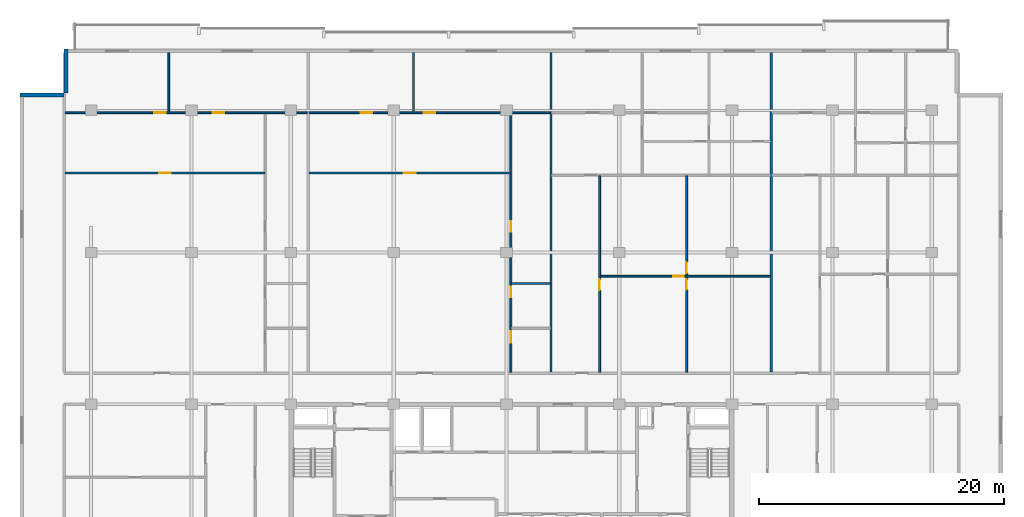
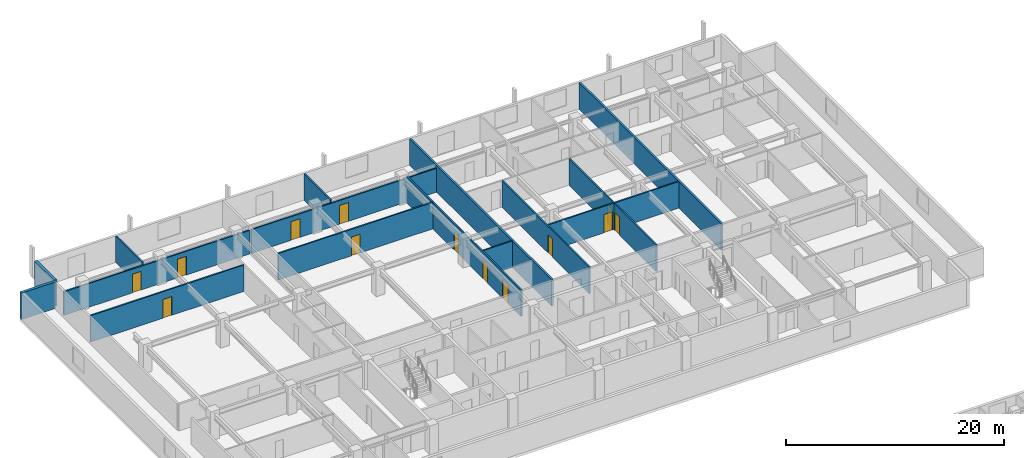
# One storey, part 13 of 21: 15 walls, 13 doors, 13 openings.
"""IFC4 building model written with IfcOpenShell, lengths in metres."""

from ifc_helpers import new_model, si_unit, direction, frame, frame_2d, origin, place, context, subcontext, project, spatial, rectangle, extrude, material, layer, layer_set, type_object, element, fill, save


model = new_model("IFC4")

# Units and contexts
model_context = context("Model", 3, precision=1e-05, world=origin(), true_north=direction((0.0, 1.0)))
body_context = subcontext(model_context, "Body", "Model", "MODEL_VIEW")
ifc_project = project(units=[si_unit("LENGTHUNIT", "METRE"), si_unit("AREAUNIT", "SQUARE_METRE"), si_unit("VOLUMEUNIT", "CUBIC_METRE"), si_unit("PLANEANGLEUNIT", "RADIAN"), si_unit("MASSUNIT", "GRAM", prefix="KILO")], contexts=[model_context])

# Site, building, storey
site_placement = place(None, origin())
site = spatial("IfcSite", under=ifc_project, at=site_placement, CompositionType="ELEMENT")
building_placement = place(site_placement, origin())
building = spatial("IfcBuilding", under=site, at=building_placement, Name="Korimba Cascade Residences", CompositionType="ELEMENT")
storey_placement = place(building_placement, frame((0.0, 0.0, 116.550048828125)))
storey = spatial("IfcBuildingStorey", under=building, at=storey_placement, Name="L33", CompositionType="ELEMENT", Elevation=116.550048828125)

# Walls
ifc_material_1 = material(Name="Precast concrete C40/50", Category="concrete")
ifc_layer_1 = layer(ifc_material_1, 0.300048828125)
ifc_layer_set_1 = layer_set([ifc_layer_1], Name="Precast concrete C40/50")
wall_type_1 = type_object("IfcWallType", Name="EW-STONE-300", PredefinedType="STANDARD", material=ifc_layer_set_1)
wall_1_placement = place(storey_placement, frame((57.75, 96.199951171875, 0.0), z_axis=(0.0, 0.0, 1.0), x_axis=(0.0, -1.0, 0.0)))
element("IfcWall", 1, at=wall_1_placement, inside=storey, type_object=wall_type_1, Name="L33 T1 Perimeter Stone Wall E07", PredefinedType="STANDARD", context=body_context, shape_type="SweptSolid", body=[
    extrude(rectangle(XDim=3.599853515625, YDim=0.300048828125, at=frame_2d((1.7998046875, 0.0))), origin(), (0.0, 0.0, 1.0), 2.969970703125),
])
wall_2_placement = place(storey_placement, frame((57.60009765625, 92.449951171875, 0.0), z_axis=(0.0, 0.0, 1.0), x_axis=(-1.0, 0.0, 0.0)))
element("IfcWall", 2, at=wall_2_placement, inside=storey, type_object=wall_type_1, Name="L33 T1 Perimeter Stone Wall E08", PredefinedType="STANDARD", context=body_context, shape_type="SweptSolid", body=[
    extrude(rectangle(XDim=3.60009765625, YDim=0.300048828125, at=frame_2d((1.800048828125, 0.0))), origin(), (0.0, 0.0, 1.0), 2.969970703125),
])
ifc_layer_2 = layer(ifc_material_1, 0.199951171875)
ifc_layer_set_2 = layer_set([ifc_layer_2], Name="Precast concrete C40/50")
wall_type_2 = type_object("IfcWallType", Name="WAL-IT-200", PredefinedType="PARTITIONING", material=ifc_layer_set_2)
for number, where, z_axis, x_axis, name in (
    (3, (97.33154296875, 69.830078125, 0.0), (0.0, 0.0, 1.0), (0.0, 1.0, 0.0), "L33 Partition Wall WAL-L33-T1-DEM-2"),
    (4, (115.321044921875, 69.830078125, 0.0), (0.0, 0.0, 1.0), (0.0, 1.0, 0.0), "L33 Partition Wall WAL-L33-T1-DEM-3"),
):
    element("IfcWall", number, at=place(storey_placement, frame(where, z_axis=z_axis, x_axis=x_axis)), inside=storey, type_object=wall_type_2, Name=name, PredefinedType="PARTITIONING", context=body_context, shape_type="SweptSolid", body=[
        extrude(rectangle(XDim=26.06982421875, YDim=0.199951171875, at=frame_2d((13.034912109375, 0.0))), origin(), (0.0, 0.0, 1.0), 2.969970703125),
    ])

# Wall, opening, door
ifc_material_2 = material(Name="Insulated Acoustic Stud Partition", Category="gypsum")
ifc_layer_3 = layer(ifc_material_2, 0.14990234375)
ifc_layer_set_3 = layer_set([ifc_layer_3], Name="Insulated Acoustic Stud Partition")
wall_type_3 = type_object("IfcWallType", Name="WAL-PART-150", PredefinedType="PARTITIONING", material=ifc_layer_set_3)
wall_3_placement = place(storey_placement, frame((57.679931640625, 86.080078125, 0.0), z_axis=(0.0, 0.0, 1.0), x_axis=(1.0, 0.0, 0.0)))
wall_3 = element("IfcWall", 5, at=wall_3_placement, inside=storey, type_object=wall_type_3, Name="L33 Partition Wall WAL-L33-T1-U01-CARH", PredefinedType="PARTITIONING", context=body_context, shape_type="SweptSolid", body=[
    extrude(rectangle(XDim=16.29052734375, YDim=0.14990234375, at=frame_2d((8.145263671875, 0.0))), origin(), (0.0, 0.0, 1.0), 2.969970703125),
])
opening_1_placement = place(wall_3_placement, frame((7.67529296875, 0.0, 0.0)))
opening_1 = element("IfcOpeningElement", 6, at=opening_1_placement, cuts=wall_3, Name="Opening D-IN0", PredefinedType="OPENING", context=body_context, shape_type="SweptSolid", body=[
    extrude(rectangle(XDim=0.93994140625, YDim=2.10009765625, at=frame_2d((0.469970703125, 1.050048828125))), frame((0.0, 0.0849609375, 0.0), z_axis=(0.0, -1.0, 0.0), x_axis=(1.0, 0.0, 0.0)), (0.0, 0.0, 1.0), 0.169921875),
])
ifc_material_3 = material(Name="Acoustic Timber Living Archway Door", Category="wood")
door_type_1 = type_object("IfcDoorType", Name="DR-INT-950", OperationType="NOTDEFINED", PredefinedType="DOOR", material=ifc_material_3)
door_1_placement = place(opening_1_placement, origin())
door_1 = element("IfcDoor", 7, at=door_1_placement, inside=storey, type_object=door_type_1, Name="L33-T1-U01 Wellness Clinic Foyer Door", OperationType="SINGLE_SWING_RIGHT", OverallHeight=2.10009765625, OverallWidth=0.93994140625, PredefinedType="DOOR", context=body_context, shape_type="SweptSolid", body=[
    extrude(rectangle(XDim=0.93994140625, YDim=2.10009765625, at=frame_2d((0.469970703125, 1.050048828125))), frame((0.0, 0.02490234375, 0.0), z_axis=(0.0, -1.0, 0.0), x_axis=(1.0, 0.0, 0.0)), (0.0, 0.0, 1.0), 0.050048828125),
])
fill(opening_1, door_1)

# Wall
wall_4_placement = place(storey_placement, frame((66.13525390625, 91.080078125, 0.0), z_axis=(0.0, 0.0, 1.0), x_axis=(0.0, 1.0, 0.0)))
element("IfcWall", 8, at=wall_4_placement, inside=storey, type_object=wall_type_3, Name="L33 Partition Wall WAL-L33-T1-U01-OUTV", PredefinedType="PARTITIONING", context=body_context, shape_type="SweptSolid", body=[
    extrude(rectangle(XDim=4.81982421875, YDim=0.14990234375, at=frame_2d((2.409912109375, 0.0))), origin(), (0.0, 0.0, 1.0), 2.969970703125),
])

# Wall, openings, doors
wall_5_placement = place(storey_placement, frame((57.679931640625, 91.0, 0.0), z_axis=(0.0, 0.0, 1.0), x_axis=(1.0, 0.0, 0.0)))
wall_5 = element("IfcWall", 9, at=wall_5_placement, inside=storey, type_object=wall_type_3, Name="L33 Partition Wall WAL-L33-T1-U01-HZ", PredefinedType="PARTITIONING", context=body_context, shape_type="SweptSolid", body=[
    extrude(rectangle(XDim=19.75048828125, YDim=0.14990234375, at=frame_2d((9.875244140625, 0.0))), origin(), (0.0, 0.0, 1.0), 2.663330078125),
])
opening_2_placement = place(wall_5_placement, frame((7.26513671875, 0.0, 0.0)))
opening_2 = element("IfcOpeningElement", 10, at=opening_2_placement, cuts=wall_5, Name="Opening D-IN0", PredefinedType="OPENING", context=body_context, shape_type="SweptSolid", body=[
    extrude(rectangle(XDim=0.93994140625, YDim=2.10009765625, at=frame_2d((0.469970703125, 1.050048828125))), frame((0.0, 0.0849609375, 0.0), z_axis=(0.0, -1.0, 0.0), x_axis=(1.0, 0.0, 0.0)), (0.0, 0.0, 1.0), 0.169921875),
])
opening_3_placement = place(wall_5_placement, frame((12.051513671875, 0.0, 0.0)))
opening_3 = element("IfcOpeningElement", 11, at=opening_3_placement, cuts=wall_5, Name="Opening D-IN0", PredefinedType="OPENING", context=body_context, shape_type="SweptSolid", body=[
    extrude(rectangle(XDim=0.93994140625, YDim=2.10009765625, at=frame_2d((0.469970703125, 1.050048828125))), frame((0.0, 0.0849609375, 0.0), z_axis=(0.0, -1.0, 0.0), x_axis=(1.0, 0.0, 0.0)), (0.0, 0.0, 1.0), 0.169921875),
])
door_2_placement = place(opening_2_placement, origin())
door_2 = element("IfcDoor", 12, at=door_2_placement, inside=storey, type_object=door_type_1, Name="L33-T1-U01 Hydrotherapy Wellness Clinic Door", OperationType="SINGLE_SWING_RIGHT", OverallHeight=2.10009765625, OverallWidth=0.93994140625, PredefinedType="DOOR", context=body_context, shape_type="SweptSolid", body=[
    extrude(rectangle(XDim=0.93994140625, YDim=2.10009765625, at=frame_2d((0.469970703125, 1.050048828125))), frame((0.0, 0.02490234375, 0.0), z_axis=(0.0, -1.0, 0.0), x_axis=(1.0, 0.0, 0.0)), (0.0, 0.0, 1.0), 0.050048828125),
])
fill(opening_2, door_2)
door_3_placement = place(opening_3_placement, origin())
door_3 = element("IfcDoor", 13, at=door_3_placement, inside=storey, type_object=door_type_1, Name="L33-T1-U01 Physiotherapy Treatment Room Door", OperationType="SINGLE_SWING_LEFT", OverallHeight=2.10009765625, OverallWidth=0.93994140625, PredefinedType="DOOR", context=body_context, shape_type="SweptSolid", body=[
    extrude(rectangle(XDim=0.93994140625, YDim=2.10009765625, at=frame_2d((0.469970703125, 1.050048828125))), frame((0.0, 0.02490234375, 0.0), z_axis=(0.0, -1.0, 0.0), x_axis=(1.0, 0.0, 0.0)), (0.0, 0.0, 1.0), 0.050048828125),
])
fill(opening_3, door_3)

# Wall, opening, door
wall_6_placement = place(storey_placement, frame((77.590576171875, 86.080078125, 0.0), z_axis=(0.0, 0.0, 1.0), x_axis=(1.0, 0.0, 0.0)))
wall_6 = element("IfcWall", 14, at=wall_6_placement, inside=storey, type_object=wall_type_3, Name="L33 Partition Wall WAL-L33-T1-U02-CARH", PredefinedType="PARTITIONING", context=body_context, shape_type="SweptSolid", body=[
    extrude(rectangle(XDim=16.430908203125, YDim=0.14990234375, at=frame_2d((8.21533203125, 0.0))), origin(), (0.0, 0.0, 1.0), 2.969970703125),
])
opening_4_placement = place(wall_6_placement, frame((7.74560546875, 0.0, 0.0)))
opening_4 = element("IfcOpeningElement", 15, at=opening_4_placement, cuts=wall_6, Name="Opening D-IN0", PredefinedType="OPENING", context=body_context, shape_type="SweptSolid", body=[
    extrude(rectangle(XDim=0.93994140625, YDim=2.10009765625, at=frame_2d((0.469970703125, 1.050048828125))), frame((0.0, 0.0849609375, 0.0), z_axis=(0.0, -1.0, 0.0), x_axis=(1.0, 0.0, 0.0)), (0.0, 0.0, 1.0), 0.169921875),
])
door_4_placement = place(opening_4_placement, origin())
door_4 = element("IfcDoor", 16, at=door_4_placement, inside=storey, type_object=door_type_1, Name="L33-T1-U02 Wellness Clinic Foyer Door", OperationType="SINGLE_SWING_RIGHT", OverallHeight=2.10009765625, OverallWidth=0.93994140625, PredefinedType="DOOR", context=body_context, shape_type="SweptSolid", body=[
    extrude(rectangle(XDim=0.93994140625, YDim=2.10009765625, at=frame_2d((0.469970703125, 1.050048828125))), frame((0.0, 0.02490234375, 0.0), z_axis=(0.0, -1.0, 0.0), x_axis=(1.0, 0.0, 0.0)), (0.0, 0.0, 1.0), 0.050048828125),
])
fill(opening_4, door_4)

# Wall
wall_7_placement = place(storey_placement, frame((94.12158203125, 77.070068359375, 0.0), z_axis=(0.0, 0.0, 1.0), x_axis=(1.0, 0.0, 0.0)))
element("IfcWall", 17, at=wall_7_placement, inside=storey, type_object=wall_type_3, Name="L33 Partition Wall WAL-L33-T1-U02-WCH2", PredefinedType="PARTITIONING", context=body_context, shape_type="SweptSolid", body=[
    extrude(rectangle(XDim=3.130126953125, YDim=0.14990234375, at=frame_2d((1.56494140625, 0.0))), origin(), (0.0, 0.0, 1.0), 2.969970703125),
])

# Wall, openings, doors
wall_8_placement = place(storey_placement, frame((94.0615234375, 69.81005859375, 0.0), z_axis=(0.0, 0.0, 1.0), x_axis=(0.0, 1.0, 0.0)))
wall_8 = element("IfcWall", 18, at=wall_8_placement, inside=storey, type_object=wall_type_3, Name="L33 Partition Wall WAL-L33-T1-U02-WCV", PredefinedType="PARTITIONING", context=body_context, shape_type="SweptSolid", body=[
    extrude(rectangle(XDim=21.1298828125, YDim=0.14990234375, at=frame_2d((10.56494140625, 0.0))), origin(), (0.0, 0.0, 1.0), 2.969970703125),
])
opening_5_placement = place(wall_8_placement, frame((2.406005859375, 0.0, 0.0)))
opening_5 = element("IfcOpeningElement", 19, at=opening_5_placement, cuts=wall_8, Name="Opening D-AC1", PredefinedType="OPENING", context=body_context, shape_type="SweptSolid", body=[
    extrude(rectangle(XDim=0.9599609375, YDim=2.10009765625, at=frame_2d((0.47998046875, 1.050048828125))), frame((0.0, 0.0849609375, 0.0), z_axis=(0.0, -1.0, 0.0), x_axis=(1.0, 0.0, 0.0)), (0.0, 0.0, 1.0), 0.169921875),
])
opening_6_placement = place(wall_8_placement, frame((6.132568359375, 0.0, 0.0)))
opening_6 = element("IfcOpeningElement", 20, at=opening_6_placement, cuts=wall_8, Name="Opening D-IN2", PredefinedType="OPENING", context=body_context, shape_type="SweptSolid", body=[
    extrude(rectangle(XDim=0.8798828125, YDim=2.06005859375, at=frame_2d((0.43994140625, 1.030029296875))), frame((0.0, 0.0849609375, 0.0), z_axis=(0.0, -1.0, 0.0), x_axis=(1.0, 0.0, 0.0)), (0.0, 0.0, 1.0), 0.169921875),
])
opening_7_placement = place(wall_8_placement, frame((11.482421875, 0.0, 0.0)))
opening_7 = element("IfcOpeningElement", 21, at=opening_7_placement, cuts=wall_8, Name="Opening D-BT1", PredefinedType="OPENING", context=body_context, shape_type="SweptSolid", body=[
    extrude(rectangle(XDim=0.840087890625, YDim=2.0400390625, at=frame_2d((0.419921875, 1.02001953125))), frame((0.0, 0.0849609375, 0.0), z_axis=(0.0, -1.0, 0.0), x_axis=(1.0, 0.0, 0.0)), (0.0, 0.0, 1.0), 0.169921875),
])
ifc_material_4 = material(Name="Accessible Acoustic Timber WC Door", Category="wood")
door_type_2 = type_object("IfcDoorType", Name="DR-ACC-950", OperationType="NOTDEFINED", PredefinedType="DOOR", material=ifc_material_4)
door_5_placement = place(opening_5_placement, origin())
door_5 = element("IfcDoor", 22, at=door_5_placement, inside=storey, type_object=door_type_2, Name="L33-T1-U02 Accessible WC Door", OperationType="SINGLE_SWING_LEFT", OverallHeight=2.10009765625, OverallWidth=0.9599609375, PredefinedType="DOOR", context=body_context, shape_type="SweptSolid", body=[
    extrude(rectangle(XDim=0.9599609375, YDim=2.10009765625, at=frame_2d((0.47998046875, 1.050048828125))), frame((0.0, 0.02490234375, 0.0), z_axis=(0.0, -1.0, 0.0), x_axis=(1.0, 0.0, 0.0)), (0.0, 0.0, 1.0), 0.050048828125),
])
fill(opening_5, door_5)
ifc_material_5 = material(Name="Moisture-Resistant Bathroom Timber Door", Category="wood")
door_type_3 = type_object("IfcDoorType", Name="DR-INT-850", OperationType="NOTDEFINED", PredefinedType="DOOR", material=ifc_material_5)
door_6_placement = place(opening_7_placement, origin())
door_6 = element("IfcDoor", 23, at=door_6_placement, inside=storey, type_object=door_type_3, Name="L33-T1-U02 Suite Store Door", OperationType="SINGLE_SWING_LEFT", OverallHeight=2.0400390625, OverallWidth=0.840087890625, PredefinedType="DOOR", context=body_context, shape_type="SweptSolid", body=[
    extrude(rectangle(XDim=0.840087890625, YDim=2.0400390625, at=frame_2d((0.419921875, 1.02001953125))), frame((0.0, 0.02490234375, 0.0), z_axis=(0.0, -1.0, 0.0), x_axis=(1.0, 0.0, 0.0)), (0.0, 0.0, 1.0), 0.050048828125),
])
fill(opening_7, door_6)
ifc_material_6 = material(Name="Acoustic Timber Bedroom Door", Category="wood")
door_type_4 = type_object("IfcDoorType", Name="DR-INT-880", OperationType="NOTDEFINED", PredefinedType="DOOR", material=ifc_material_6)
door_7_placement = place(opening_6_placement, origin())
door_7 = element("IfcDoor", 24, at=door_7_placement, inside=storey, type_object=door_type_4, Name="L33-T1-U02 Restroom WC Door", OperationType="SINGLE_SWING_RIGHT", OverallHeight=2.06005859375, OverallWidth=0.8798828125, PredefinedType="DOOR", context=body_context, shape_type="SweptSolid", body=[
    extrude(rectangle(XDim=0.8798828125, YDim=2.06005859375, at=frame_2d((0.43994140625, 1.030029296875))), frame((0.0, 0.02490234375, 0.0), z_axis=(0.0, -1.0, 0.0), x_axis=(1.0, 0.0, 0.0)), (0.0, 0.0, 1.0), 0.050048828125),
])
fill(opening_6, door_7)

# Wall
wall_9_placement = place(storey_placement, frame((86.115966796875, 91.080078125, 0.0), z_axis=(0.0, 0.0, 1.0), x_axis=(0.0, 1.0, 0.0)))
element("IfcWall", 25, at=wall_9_placement, inside=storey, type_object=wall_type_3, Name="L33 Partition Wall WAL-L33-T1-U02-OUTV", PredefinedType="PARTITIONING", context=body_context, shape_type="SweptSolid", body=[
    extrude(rectangle(XDim=4.81982421875, YDim=0.14990234375, at=frame_2d((2.409912109375, 0.0))), origin(), (0.0, 0.0, 1.0), 2.969970703125),
])

# Wall, openings, doors
wall_10_placement = place(storey_placement, frame((77.590576171875, 91.0, 0.0), z_axis=(0.0, 0.0, 1.0), x_axis=(1.0, 0.0, 0.0)))
wall_10 = element("IfcWall", 26, at=wall_10_placement, inside=storey, type_object=wall_type_3, Name="L33 Partition Wall WAL-L33-T1-U02-HZ", PredefinedType="PARTITIONING", context=body_context, shape_type="SweptSolid", body=[
    extrude(rectangle(XDim=19.6611328125, YDim=0.14990234375, at=frame_2d((9.83056640625, 0.0))), origin(), (0.0, 0.0, 1.0), 2.663330078125),
])
opening_8_placement = place(wall_10_placement, frame((4.218017578125, 0.0, 0.0)))
opening_8 = element("IfcOpeningElement", 27, at=opening_8_placement, cuts=wall_10, Name="Opening D-IN0", PredefinedType="OPENING", context=body_context, shape_type="SweptSolid", body=[
    extrude(rectangle(XDim=0.93994140625, YDim=2.10009765625, at=frame_2d((0.469970703125, 1.050048828125))), frame((0.0, 0.0849609375, 0.0), z_axis=(0.0, -1.0, 0.0), x_axis=(1.0, 0.0, 0.0)), (0.0, 0.0, 1.0), 0.169921875),
])
opening_9_placement = place(wall_10_placement, frame((9.360595703125, 0.0, 0.0)))
opening_9 = element("IfcOpeningElement", 28, at=opening_9_placement, cuts=wall_10, Name="Opening D-IN0", PredefinedType="OPENING", context=body_context, shape_type="SweptSolid", body=[
    extrude(rectangle(XDim=0.93994140625, YDim=2.10009765625, at=frame_2d((0.469970703125, 1.050048828125))), frame((0.0, 0.0849609375, 0.0), z_axis=(0.0, -1.0, 0.0), x_axis=(1.0, 0.0, 0.0)), (0.0, 0.0, 1.0), 0.169921875),
])
door_8_placement = place(opening_8_placement, origin())
door_8 = element("IfcDoor", 29, at=door_8_placement, inside=storey, type_object=door_type_1, Name="L33-T1-U02 Hydrotherapy Wellness Clinic Door", OperationType="SINGLE_SWING_RIGHT", OverallHeight=2.10009765625, OverallWidth=0.93994140625, PredefinedType="DOOR", context=body_context, shape_type="SweptSolid", body=[
    extrude(rectangle(XDim=0.93994140625, YDim=2.10009765625, at=frame_2d((0.469970703125, 1.050048828125))), frame((0.0, 0.02490234375, 0.0), z_axis=(0.0, -1.0, 0.0), x_axis=(1.0, 0.0, 0.0)), (0.0, 0.0, 1.0), 0.050048828125),
])
fill(opening_8, door_8)
door_9_placement = place(opening_9_placement, origin())
door_9 = element("IfcDoor", 30, at=door_9_placement, inside=storey, type_object=door_type_1, Name="L33-T1-U02 Physiotherapy Treatment Room Door", OperationType="SINGLE_SWING_LEFT", OverallHeight=2.10009765625, OverallWidth=0.93994140625, PredefinedType="DOOR", context=body_context, shape_type="SweptSolid", body=[
    extrude(rectangle(XDim=0.93994140625, YDim=2.10009765625, at=frame_2d((0.469970703125, 1.050048828125))), frame((0.0, 0.02490234375, 0.0), z_axis=(0.0, -1.0, 0.0), x_axis=(1.0, 0.0, 0.0)), (0.0, 0.0, 1.0), 0.050048828125),
])
fill(opening_9, door_9)

wall_11_placement = place(storey_placement, frame((108.4013671875, 69.81005859375, 0.0), z_axis=(0.0, 0.0, 1.0), x_axis=(0.0, 1.0, 0.0)))
wall_11 = element("IfcWall", 31, at=wall_11_placement, inside=storey, type_object=wall_type_3, Name="L33 Partition Wall WAL-L33-T1-U03-FMV", PredefinedType="PARTITIONING", context=body_context, shape_type="SweptSolid", body=[
    extrude(rectangle(XDim=16.050048828125, YDim=0.14990234375, at=frame_2d((8.02490234375, 0.0))), origin(), (0.0, 0.0, 1.0), 2.969970703125),
])
opening_10_placement = place(wall_11_placement, frame((6.7548828125, 0.0, 0.0)))
opening_10 = element("IfcOpeningElement", 32, at=opening_10_placement, cuts=wall_11, Name="Opening D-BT1", PredefinedType="OPENING", context=body_context, shape_type="SweptSolid", body=[
    extrude(rectangle(XDim=0.840087890625, YDim=2.0400390625, at=frame_2d((0.419921875, 1.02001953125))), frame((0.0, 0.0849609375, 0.0), z_axis=(0.0, -1.0, 0.0), x_axis=(1.0, 0.0, 0.0)), (0.0, 0.0, 1.0), 0.169921875),
])
opening_11_placement = place(wall_11_placement, frame((8.094970703125, 0.0, 0.0)))
opening_11 = element("IfcOpeningElement", 33, at=opening_11_placement, cuts=wall_11, Name="Opening D-IN2", PredefinedType="OPENING", context=body_context, shape_type="SweptSolid", body=[
    extrude(rectangle(XDim=0.8798828125, YDim=2.06005859375, at=frame_2d((0.43994140625, 1.030029296875))), frame((0.0, 0.0849609375, 0.0), z_axis=(0.0, -1.0, 0.0), x_axis=(1.0, 0.0, 0.0)), (0.0, 0.0, 1.0), 0.169921875),
])
door_10_placement = place(opening_10_placement, origin())
door_10 = element("IfcDoor", 34, at=door_10_placement, inside=storey, type_object=door_type_3, Name="L33-T1-U03 Wardrobe Door", OperationType="SINGLE_SWING_RIGHT", OverallHeight=2.0400390625, OverallWidth=0.840087890625, PredefinedType="DOOR", context=body_context, shape_type="SweptSolid", body=[
    extrude(rectangle(XDim=0.840087890625, YDim=2.0400390625, at=frame_2d((0.419921875, 1.02001953125))), frame((0.0, 0.02490234375, 0.0), z_axis=(0.0, -1.0, 0.0), x_axis=(1.0, 0.0, 0.0)), (0.0, 0.0, 1.0), 0.050048828125),
])
fill(opening_10, door_10)
door_11_placement = place(opening_11_placement, origin())
door_11 = element("IfcDoor", 35, at=door_11_placement, inside=storey, type_object=door_type_4, Name="L33-T1-U03 Music Lounge Door", OperationType="SINGLE_SWING_LEFT", OverallHeight=2.06005859375, OverallWidth=0.8798828125, PredefinedType="DOOR", context=body_context, shape_type="SweptSolid", body=[
    extrude(rectangle(XDim=0.8798828125, YDim=2.06005859375, at=frame_2d((0.43994140625, 1.030029296875))), frame((0.0, 0.02490234375, 0.0), z_axis=(0.0, -1.0, 0.0), x_axis=(1.0, 0.0, 0.0)), (0.0, 0.0, 1.0), 0.050048828125),
])
fill(opening_11, door_11)

# Wall, opening, door
wall_12_placement = place(storey_placement, frame((101.361572265625, 77.655029296875, 0.0), z_axis=(0.0, 0.0, 1.0), x_axis=(1.0, 0.0, 0.0)))
wall_12 = element("IfcWall", 36, at=wall_12_placement, inside=storey, type_object=wall_type_3, Name="L33 Partition Wall WAL-L33-T1-U03-FMH", PredefinedType="PARTITIONING", context=body_context, shape_type="SweptSolid", body=[
    extrude(rectangle(XDim=13.879638671875, YDim=0.14990234375, at=frame_2d((6.93994140625, 0.0))), origin(), (0.0, 0.0, 1.0), 2.969970703125),
])
opening_12_placement = place(wall_12_placement, frame((5.939697265625, 0.0, 0.0)))
opening_12 = element("IfcOpeningElement", 37, at=opening_12_placement, cuts=wall_12, Name="Opening D-IN2", PredefinedType="OPENING", context=body_context, shape_type="SweptSolid", body=[
    extrude(rectangle(XDim=0.8798828125, YDim=2.06005859375, at=frame_2d((0.43994140625, 1.030029296875))), frame((0.0, 0.0849609375, 0.0), z_axis=(0.0, -1.0, 0.0), x_axis=(1.0, 0.0, 0.0)), (0.0, 0.0, 1.0), 0.169921875),
])
door_12_placement = place(opening_12_placement, origin())
door_12 = element("IfcDoor", 38, at=door_12_placement, inside=storey, type_object=door_type_4, Name="L33-T1-U03 Library Salon Door", OperationType="SINGLE_SWING_RIGHT", OverallHeight=2.06005859375, OverallWidth=0.8798828125, PredefinedType="DOOR", context=body_context, shape_type="SweptSolid", body=[
    extrude(rectangle(XDim=0.8798828125, YDim=2.06005859375, at=frame_2d((0.43994140625, 1.030029296875))), frame((0.0, 0.02490234375, 0.0), z_axis=(0.0, -1.0, 0.0), x_axis=(1.0, 0.0, 0.0)), (0.0, 0.0, 1.0), 0.050048828125),
])
fill(opening_12, door_12)

wall_13_placement = place(storey_placement, frame((101.301513671875, 69.81005859375, 0.0), z_axis=(0.0, 0.0, 1.0), x_axis=(0.0, 1.0, 0.0)))
wall_13 = element("IfcWall", 39, at=wall_13_placement, inside=storey, type_object=wall_type_3, Name="L33 Partition Wall WAL-L33-T1-U03-FV", PredefinedType="PARTITIONING", context=body_context, shape_type="SweptSolid", body=[
    extrude(rectangle(XDim=16.050048828125, YDim=0.14990234375, at=frame_2d((8.02490234375, 0.0))), origin(), (0.0, 0.0, 1.0), 2.969970703125),
])
opening_13_placement = place(wall_13_placement, frame((6.715087890625, 0.0, 0.0)))
opening_13 = element("IfcOpeningElement", 40, at=opening_13_placement, cuts=wall_13, Name="Opening D-IN2", PredefinedType="OPENING", context=body_context, shape_type="SweptSolid", body=[
    extrude(rectangle(XDim=0.8798828125, YDim=2.06005859375, at=frame_2d((0.43994140625, 1.030029296875))), frame((0.0, 0.0849609375, 0.0), z_axis=(0.0, -1.0, 0.0), x_axis=(1.0, 0.0, 0.0)), (0.0, 0.0, 1.0), 0.169921875),
])
door_13_placement = place(opening_13_placement, origin())
door_13 = element("IfcDoor", 41, at=door_13_placement, inside=storey, type_object=door_type_4, Name="L33-T1-U03 Media Lounge Door", OperationType="SINGLE_SWING_LEFT", OverallHeight=2.06005859375, OverallWidth=0.8798828125, PredefinedType="DOOR", context=body_context, shape_type="SweptSolid", body=[
    extrude(rectangle(XDim=0.8798828125, YDim=2.06005859375, at=frame_2d((0.43994140625, 1.030029296875))), frame((0.0, 0.02490234375, 0.0), z_axis=(0.0, -1.0, 0.0), x_axis=(1.0, 0.0, 0.0)), (0.0, 0.0, 1.0), 0.050048828125),
])
fill(opening_13, door_13)

save(model, "model.ifc")
